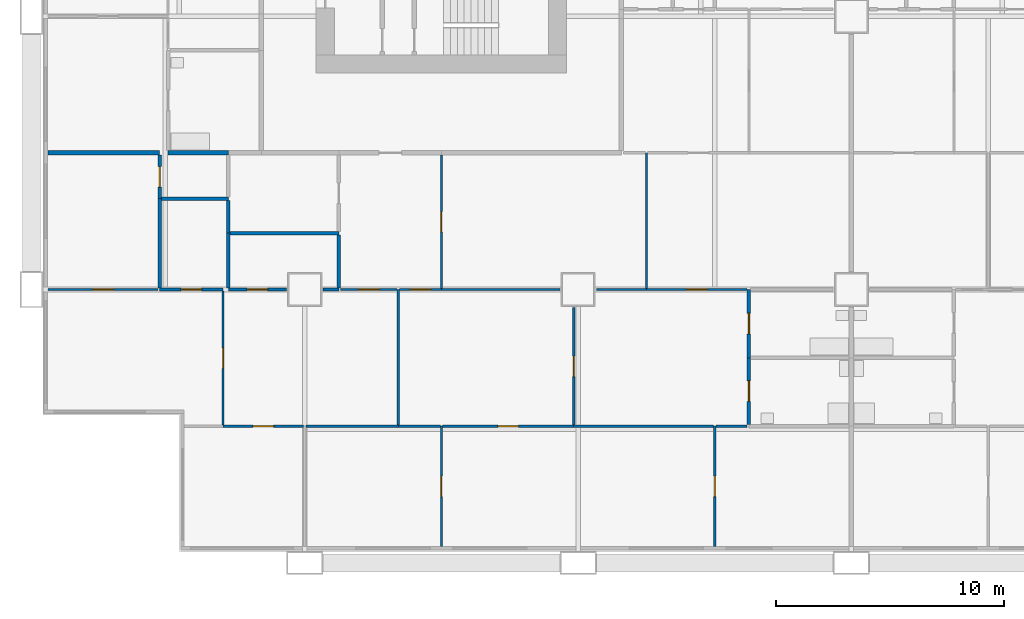
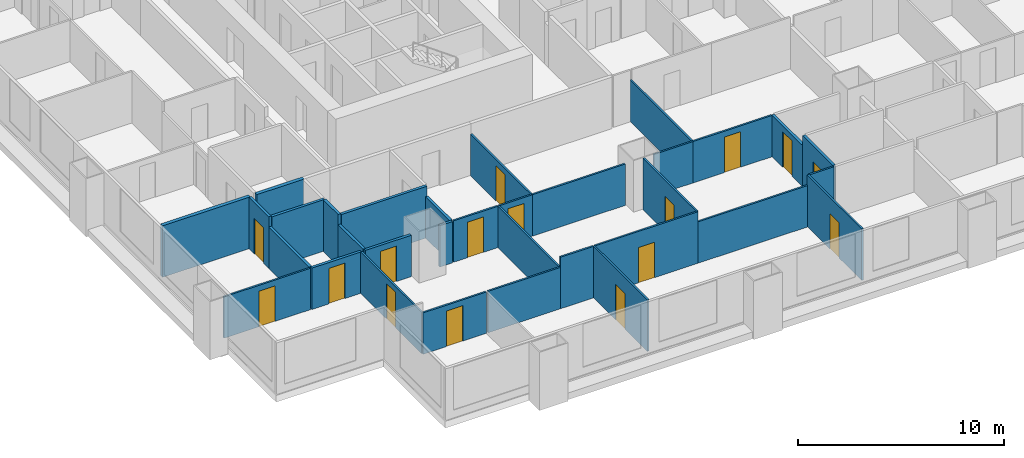
# One storey, part 2 of 14: 33 walls, 16 doors, 16 openings.
"""IFC4 building model written with IfcOpenShell, lengths in metres."""

from ifc_helpers import new_model, si_unit, direction, frame, frame_2d, origin, place, context, subcontext, project, spatial, rectangle, extrude, material, layer, layer_set, type_object, element, fill, save


model = new_model("IFC4")

# Units and contexts
model_context = context("Model", 3, precision=1e-05, world=origin(), true_north=direction((0.0, 1.0)))
body_context = subcontext(model_context, "Body", "Model", "MODEL_VIEW")
ifc_project = project(units=[si_unit("LENGTHUNIT", "METRE"), si_unit("AREAUNIT", "SQUARE_METRE"), si_unit("VOLUMEUNIT", "CUBIC_METRE"), si_unit("PLANEANGLEUNIT", "RADIAN"), si_unit("MASSUNIT", "GRAM", prefix="KILO")], contexts=[model_context])

# Site, building, storey
site_placement = place(None, origin())
site = spatial("IfcSite", under=ifc_project, at=site_placement, CompositionType="ELEMENT")
building_placement = place(site_placement, origin())
building = spatial("IfcBuilding", under=site, at=building_placement, Name="Kitamizu Gate Tower and Museum", CompositionType="ELEMENT")
storey_placement = place(building_placement, frame((0.0, 0.0, 67.949951171875)))
storey = spatial("IfcBuildingStorey", under=building, at=storey_placement, Name="L16", CompositionType="ELEMENT", Elevation=67.949951171875)

# Wall, opening, door
ifc_material_1 = material(Name="Gypsum board on galvanised stud")
ifc_layer_1 = layer(ifc_material_1, 0.10009765625)
ifc_layer_set_1 = layer_set([ifc_layer_1], Name="Gypsum board on galvanised stud")
wall_type_1 = type_object("IfcWallType", Name="Partition 100 NOT RATED", PredefinedType="PARTITIONING", material=ifc_layer_set_1)
wall_1_placement = place(storey_placement, frame((11.949951171875, 6.0, 0.0), z_axis=(0.0, 0.0, 1.0), x_axis=(-1.0, 0.0, 0.0)))
wall_1 = element("IfcWall", 1, at=wall_1_placement, inside=storey, type_object=wall_type_1, Name="Partition L16-003", PredefinedType="PARTITIONING", context=body_context, shape_type="SweptSolid", body=[
    extrude(rectangle(XDim=3.534912109375, YDim=0.10009765625, at=frame_2d((1.767578125, 0.0))), origin(), (0.0, 0.0, 1.0), 2.449951171875),
])
opening_1_placement = place(wall_1_placement, frame((1.3173828125, 0.0, 0.0)))
opening_1 = element("IfcOpeningElement", 2, at=opening_1_placement, cuts=wall_1, Name="Opening L16-008", PredefinedType="OPENING", context=body_context, shape_type="SweptSolid", body=[
    extrude(rectangle(XDim=0.89990234375, YDim=2.10009765625, at=frame_2d((0.449951171875, 1.050048828125))), frame((0.0, 0.06005859375, 0.0), z_axis=(0.0, -1.0, 0.0), x_axis=(1.0, 0.0, 0.0)), (0.0, 0.0, 1.0), 0.1201171875),
])
ifc_material_2 = material(Name="Timber door set", Category="wood")
door_type_1 = type_object("IfcDoorType", Name="Room door 900", OperationType="NOTDEFINED", PredefinedType="DOOR", material=ifc_material_2)
door_1_placement = place(opening_1_placement, origin())
door_1 = element("IfcDoor", 3, at=door_1_placement, inside=storey, type_object=door_type_1, Name="Door L16-008", OperationType="SINGLE_SWING_RIGHT", OverallHeight=2.10009765625, OverallWidth=0.89990234375, PredefinedType="DOOR", context=body_context, shape_type="SweptSolid", body=[
    extrude(rectangle(XDim=0.89990234375, YDim=2.10009765625, at=frame_2d((0.449951171875, 1.050048828125))), frame((0.0, 0.02490234375, 0.0), z_axis=(0.0, -1.0, 0.0), x_axis=(1.0, 0.0, 0.0)), (0.0, 0.0, 1.0), 0.050048828125),
])
fill(opening_1, door_1)

wall_2_placement = place(storey_placement, frame((18.0, 0.719970703125, 0.0), z_axis=(0.0, 0.0, 1.0), x_axis=(0.0, 1.0, 0.0)))
wall_2 = element("IfcWall", 4, at=wall_2_placement, inside=storey, type_object=wall_type_1, Name="Partition L16-004", PredefinedType="PARTITIONING", context=body_context, shape_type="SweptSolid", body=[
    extrude(rectangle(XDim=5.280029296875, YDim=0.10009765625, at=frame_2d((2.64013671875, 0.0))), origin(), (0.0, 0.0, 1.0), 3.050048828125),
])
opening_2_placement = place(wall_2_placement, frame((2.18994140625, 0.0, 0.0)))
opening_2 = element("IfcOpeningElement", 5, at=opening_2_placement, cuts=wall_2, Name="Opening L16-009", PredefinedType="OPENING", context=body_context, shape_type="SweptSolid", body=[
    extrude(rectangle(XDim=0.89990234375, YDim=2.10009765625, at=frame_2d((0.449951171875, 1.050048828125))), frame((0.0, 0.06005859375, 0.0), z_axis=(0.0, -1.0, 0.0), x_axis=(1.0, 0.0, 0.0)), (0.0, 0.0, 1.0), 0.1201171875),
])
door_2_placement = place(opening_2_placement, origin())
door_2 = element("IfcDoor", 6, at=door_2_placement, inside=storey, type_object=door_type_1, Name="Door L16-009", OperationType="SINGLE_SWING_LEFT", OverallHeight=2.10009765625, OverallWidth=0.89990234375, PredefinedType="DOOR", context=body_context, shape_type="SweptSolid", body=[
    extrude(rectangle(XDim=0.89990234375, YDim=2.10009765625, at=frame_2d((0.449951171875, 1.050048828125))), frame((0.0, 0.02490234375, 0.0), z_axis=(0.0, -1.0, 0.0), x_axis=(1.0, 0.0, 0.0)), (0.0, 0.0, 1.0), 0.050048828125),
])
fill(opening_2, door_2)

# Walls
wall_3_placement = place(storey_placement, frame((16.110107421875, 6.0, 0.0), z_axis=(0.0, 0.0, 1.0), x_axis=(-1.0, 0.0, 0.0)))
element("IfcWall", 7, at=wall_3_placement, inside=storey, type_object=wall_type_1, Name="Partition L16-005", PredefinedType="PARTITIONING", context=body_context, shape_type="SweptSolid", body=[
    extrude(rectangle(XDim=4.06005859375, YDim=0.10009765625, at=frame_2d((2.030029296875, 0.0))), origin(), (0.0, 0.0, 1.0), 2.449951171875),
])
wall_4_placement = place(storey_placement, frame((17.949951171875, 6.0, 0.0), z_axis=(0.0, 0.0, 1.0), x_axis=(-1.0, 0.0, 0.0)))
element("IfcWall", 8, at=wall_4_placement, inside=storey, type_object=wall_type_1, Name="Partition L16-006", PredefinedType="PARTITIONING", context=body_context, shape_type="SweptSolid", body=[
    extrude(rectangle(XDim=1.83984375, YDim=0.10009765625, at=frame_2d((0.919921875, 0.0))), origin(), (0.0, 0.0, 1.0), 3.050048828125),
])

# Wall, opening, door
wall_5_placement = place(storey_placement, frame((30.0, 0.719970703125, 0.0), z_axis=(0.0, 0.0, 1.0), x_axis=(0.0, 1.0, 0.0)))
wall_5 = element("IfcWall", 9, at=wall_5_placement, inside=storey, type_object=wall_type_1, Name="Partition L16-007", PredefinedType="PARTITIONING", context=body_context, shape_type="SweptSolid", body=[
    extrude(rectangle(XDim=5.280029296875, YDim=0.10009765625, at=frame_2d((2.64013671875, 0.0))), origin(), (0.0, 0.0, 1.0), 3.050048828125),
])
opening_3_placement = place(wall_5_placement, frame((2.18994140625, 0.0, 0.0)))
opening_3 = element("IfcOpeningElement", 10, at=opening_3_placement, cuts=wall_5, Name="Opening L16-010", PredefinedType="OPENING", context=body_context, shape_type="SweptSolid", body=[
    extrude(rectangle(XDim=0.89990234375, YDim=2.10009765625, at=frame_2d((0.449951171875, 1.050048828125))), frame((0.0, 0.06005859375, 0.0), z_axis=(0.0, -1.0, 0.0), x_axis=(1.0, 0.0, 0.0)), (0.0, 0.0, 1.0), 0.1201171875),
])
door_3_placement = place(opening_3_placement, frame((0.89990234375, 0.0, 0.0), x_axis=(-1.0, 0.0, 0.0)))
door_3 = element("IfcDoor", 11, at=door_3_placement, inside=storey, type_object=door_type_1, Name="Door L16-010", OperationType="SINGLE_SWING_LEFT", OverallHeight=2.10009765625, OverallWidth=0.89990234375, PredefinedType="DOOR", context=body_context, shape_type="SweptSolid", body=[
    extrude(rectangle(XDim=0.89990234375, YDim=2.10009765625, at=frame_2d((0.449951171875, 1.050048828125))), frame((0.0, 0.02490234375, 0.0), z_axis=(0.0, -1.0, 0.0), x_axis=(1.0, 0.0, 0.0)), (0.0, 0.0, 1.0), 0.050048828125),
])
fill(opening_3, door_3)

wall_6_placement = place(storey_placement, frame((23.804931640625, 6.0, 0.0), z_axis=(0.0, 0.0, 1.0), x_axis=(-1.0, 0.0, 0.0)))
wall_6 = element("IfcWall", 12, at=wall_6_placement, inside=storey, type_object=wall_type_1, Name="Partition L16-008", PredefinedType="PARTITIONING", context=body_context, shape_type="SweptSolid", body=[
    extrude(rectangle(XDim=5.7548828125, YDim=0.10009765625, at=frame_2d((2.87744140625, 0.0))), origin(), (0.0, 0.0, 1.0), 3.050048828125),
])
opening_4_placement = place(wall_6_placement, frame((2.427490234375, 0.0, 0.0)))
opening_4 = element("IfcOpeningElement", 13, at=opening_4_placement, cuts=wall_6, Name="Opening L16-005", PredefinedType="OPENING", context=body_context, shape_type="SweptSolid", body=[
    extrude(rectangle(XDim=0.89990234375, YDim=2.10009765625, at=frame_2d((0.449951171875, 1.050048828125))), frame((0.0, 0.06005859375, 0.0), z_axis=(0.0, -1.0, 0.0), x_axis=(1.0, 0.0, 0.0)), (0.0, 0.0, 1.0), 0.1201171875),
])
door_4_placement = place(opening_4_placement, frame((0.89990234375, 0.0, 0.0), x_axis=(-1.0, 0.0, 0.0)))
door_4 = element("IfcDoor", 14, at=door_4_placement, inside=storey, type_object=door_type_1, Name="Door L16-005", OperationType="SINGLE_SWING_LEFT", OverallHeight=2.10009765625, OverallWidth=0.89990234375, PredefinedType="DOOR", context=body_context, shape_type="SweptSolid", body=[
    extrude(rectangle(XDim=0.89990234375, YDim=2.10009765625, at=frame_2d((0.449951171875, 1.050048828125))), frame((0.0, 0.02490234375, 0.0), z_axis=(0.0, -1.0, 0.0), x_axis=(1.0, 0.0, 0.0)), (0.0, 0.0, 1.0), 0.050048828125),
])
fill(opening_4, door_4)

# Walls
wall_7_placement = place(storey_placement, frame((29.949951171875, 6.0, 0.0), z_axis=(0.0, 0.0, 1.0), x_axis=(-1.0, 0.0, 0.0)))
element("IfcWall", 15, at=wall_7_placement, inside=storey, type_object=wall_type_1, Name="Partition L16-009", PredefinedType="PARTITIONING", context=body_context, shape_type="SweptSolid", body=[
    extrude(rectangle(XDim=6.14501953125, YDim=0.10009765625, at=frame_2d((3.072509765625, 0.0))), origin(), (0.0, 0.0, 1.0), 2.449951171875),
])
wall_8_placement = place(storey_placement, frame((31.425048828125, 6.0, 0.0), z_axis=(0.0, 0.0, 1.0), x_axis=(-1.0, 0.0, 0.0)))
element("IfcWall", 16, at=wall_8_placement, inside=storey, type_object=wall_type_1, Name="Partition L16-010", PredefinedType="PARTITIONING", context=body_context, shape_type="SweptSolid", body=[
    extrude(rectangle(XDim=1.375, YDim=0.10009765625, at=frame_2d((0.6875, 0.0))), origin(), (0.0, 0.0, 1.0), 3.050048828125),
])

# Wall, opening, door
wall_9_placement = place(storey_placement, frame((8.4150390625, 6.050048828125, 0.0), z_axis=(0.0, 0.0, 1.0), x_axis=(0.0, 1.0, 0.0)))
wall_9 = element("IfcWall", 17, at=wall_9_placement, inside=storey, type_object=wall_type_1, Name="Partition L16-013", PredefinedType="PARTITIONING", context=body_context, shape_type="SweptSolid", body=[
    extrude(rectangle(XDim=5.875, YDim=0.10009765625, at=frame_2d((2.9375, 0.0))), origin(), (0.0, 0.0, 1.0), 2.449951171875),
])
opening_5_placement = place(wall_9_placement, frame((2.487548828125, 0.0, 0.0)))
opening_5 = element("IfcOpeningElement", 18, at=opening_5_placement, cuts=wall_9, Name="Opening L16-004", PredefinedType="OPENING", context=body_context, shape_type="SweptSolid", body=[
    extrude(rectangle(XDim=0.89990234375, YDim=2.10009765625, at=frame_2d((0.449951171875, 1.050048828125))), frame((0.0, 0.06005859375, 0.0), z_axis=(0.0, -1.0, 0.0), x_axis=(1.0, 0.0, 0.0)), (0.0, 0.0, 1.0), 0.1201171875),
])
door_5_placement = place(opening_5_placement, frame((0.89990234375, 0.0, 0.0), x_axis=(-1.0, 0.0, 0.0)))
door_5 = element("IfcDoor", 19, at=door_5_placement, inside=storey, type_object=door_type_1, Name="Door L16-004", OperationType="SINGLE_SWING_RIGHT", OverallHeight=2.10009765625, OverallWidth=0.89990234375, PredefinedType="DOOR", context=body_context, shape_type="SweptSolid", body=[
    extrude(rectangle(XDim=0.89990234375, YDim=2.10009765625, at=frame_2d((0.449951171875, 1.050048828125))), frame((0.0, 0.02490234375, 0.0), z_axis=(0.0, -1.0, 0.0), x_axis=(1.0, 0.0, 0.0)), (0.0, 0.0, 1.0), 0.050048828125),
])
fill(opening_5, door_5)

wall_10_placement = place(storey_placement, frame((5.55810546875, 12.0, 0.0), z_axis=(0.0, 0.0, 1.0), x_axis=(-1.0, 0.0, 0.0)))
wall_10 = element("IfcWall", 20, at=wall_10_placement, inside=storey, type_object=wall_type_1, Name="Partition L16-014", PredefinedType="PARTITIONING", context=body_context, shape_type="SweptSolid", body=[
    extrude(rectangle(XDim=4.838134765625, YDim=0.10009765625, at=frame_2d((2.4189453125, 0.0))), origin(), (0.0, 0.0, 1.0), 2.449951171875),
])
opening_6_placement = place(wall_10_placement, frame((1.968994140625, 0.0, 0.0)))
opening_6 = element("IfcOpeningElement", 21, at=opening_6_placement, cuts=wall_10, Name="Opening L16-012", PredefinedType="OPENING", context=body_context, shape_type="SweptSolid", body=[
    extrude(rectangle(XDim=0.89990234375, YDim=2.10009765625, at=frame_2d((0.449951171875, 1.050048828125))), frame((0.0, 0.06005859375, 0.0), z_axis=(0.0, -1.0, 0.0), x_axis=(1.0, 0.0, 0.0)), (0.0, 0.0, 1.0), 0.1201171875),
])
door_6_placement = place(opening_6_placement, frame((0.89990234375, 0.0, 0.0), x_axis=(-1.0, 0.0, 0.0)))
door_6 = element("IfcDoor", 22, at=door_6_placement, inside=storey, type_object=door_type_1, Name="Door L16-012", OperationType="SINGLE_SWING_LEFT", OverallHeight=2.10009765625, OverallWidth=0.89990234375, PredefinedType="DOOR", context=body_context, shape_type="SweptSolid", body=[
    extrude(rectangle(XDim=0.89990234375, YDim=2.10009765625, at=frame_2d((0.449951171875, 1.050048828125))), frame((0.0, 0.02490234375, 0.0), z_axis=(0.0, -1.0, 0.0), x_axis=(1.0, 0.0, 0.0)), (0.0, 0.0, 1.0), 0.050048828125),
])
fill(opening_6, door_6)

# Wall
wall_11_placement = place(storey_placement, frame((16.110107421875, 6.050048828125, 0.0), z_axis=(0.0, 0.0, 1.0), x_axis=(0.0, 1.0, 0.0)))
element("IfcWall", 23, at=wall_11_placement, inside=storey, type_object=wall_type_1, Name="Partition L16-016", PredefinedType="PARTITIONING", context=body_context, shape_type="SweptSolid", body=[
    extrude(rectangle(XDim=5.949951171875, YDim=0.10009765625, at=frame_2d((2.97509765625, 0.0))), origin(), (0.0, 0.0, 1.0), 2.449951171875),
])

# Wall, opening, door
wall_12_placement = place(storey_placement, frame((16.06005859375, 12.0, 0.0), z_axis=(0.0, 0.0, 1.0), x_axis=(-1.0, 0.0, 0.0)))
wall_12 = element("IfcWall", 24, at=wall_12_placement, inside=storey, type_object=wall_type_1, Name="Partition L16-019", PredefinedType="PARTITIONING", context=body_context, shape_type="SweptSolid", body=[
    extrude(rectangle(XDim=2.485107421875, YDim=0.10009765625, at=frame_2d((1.24267578125, 0.0))), origin(), (0.0, 0.0, 1.0), 2.449951171875),
])
opening_7_placement = place(wall_12_placement, frame((0.79248046875, 0.0, 0.0)))
opening_7 = element("IfcOpeningElement", 25, at=opening_7_placement, cuts=wall_12, Name="Opening L16-002", PredefinedType="OPENING", context=body_context, shape_type="SweptSolid", body=[
    extrude(rectangle(XDim=0.89990234375, YDim=2.10009765625, at=frame_2d((0.449951171875, 1.050048828125))), frame((0.0, 0.06005859375, 0.0), z_axis=(0.0, -1.0, 0.0), x_axis=(1.0, 0.0, 0.0)), (0.0, 0.0, 1.0), 0.1201171875),
])
door_7_placement = place(opening_7_placement, origin())
door_7 = element("IfcDoor", 26, at=door_7_placement, inside=storey, type_object=door_type_1, Name="Door L16-002", OperationType="SINGLE_SWING_RIGHT", OverallHeight=2.10009765625, OverallWidth=0.89990234375, PredefinedType="DOOR", context=body_context, shape_type="SweptSolid", body=[
    extrude(rectangle(XDim=0.89990234375, YDim=2.10009765625, at=frame_2d((0.449951171875, 1.050048828125))), frame((0.0, 0.02490234375, 0.0), z_axis=(0.0, -1.0, 0.0), x_axis=(1.0, 0.0, 0.0)), (0.0, 0.0, 1.0), 0.050048828125),
])
fill(opening_7, door_7)

wall_13_placement = place(storey_placement, frame((23.804931640625, 6.050048828125, 0.0), z_axis=(0.0, 0.0, 1.0), x_axis=(0.0, 1.0, 0.0)))
wall_13 = element("IfcWall", 27, at=wall_13_placement, inside=storey, type_object=wall_type_1, Name="Partition L16-020", PredefinedType="PARTITIONING", context=body_context, shape_type="SweptSolid", body=[
    extrude(rectangle(XDim=5.14990234375, YDim=0.10009765625, at=frame_2d((2.574951171875, 0.0))), origin(), (0.0, 0.0, 1.0), 3.050048828125),
])
opening_8_placement = place(wall_13_placement, frame((2.125, 0.0, 0.0)))
opening_8 = element("IfcOpeningElement", 28, at=opening_8_placement, cuts=wall_13, Name="Opening L16-006", PredefinedType="OPENING", context=body_context, shape_type="SweptSolid", body=[
    extrude(rectangle(XDim=0.89990234375, YDim=2.10009765625, at=frame_2d((0.449951171875, 1.050048828125))), frame((0.0, 0.06005859375, 0.0), z_axis=(0.0, -1.0, 0.0), x_axis=(1.0, 0.0, 0.0)), (0.0, 0.0, 1.0), 0.1201171875),
])
door_8_placement = place(opening_8_placement, frame((0.89990234375, 0.0, 0.0), x_axis=(-1.0, 0.0, 0.0)))
door_8 = element("IfcDoor", 29, at=door_8_placement, inside=storey, type_object=door_type_1, Name="Door L16-006", OperationType="SINGLE_SWING_RIGHT", OverallHeight=2.10009765625, OverallWidth=0.89990234375, PredefinedType="DOOR", context=body_context, shape_type="SweptSolid", body=[
    extrude(rectangle(XDim=0.89990234375, YDim=2.10009765625, at=frame_2d((0.449951171875, 1.050048828125))), frame((0.0, 0.02490234375, 0.0), z_axis=(0.0, -1.0, 0.0), x_axis=(1.0, 0.0, 0.0)), (0.0, 0.0, 1.0), 0.050048828125),
])
fill(opening_8, door_8)

wall_14_placement = place(storey_placement, frame((18.0, 12.0, 0.0), z_axis=(0.0, 0.0, 1.0), x_axis=(-1.0, 0.0, 0.0)))
wall_14 = element("IfcWall", 30, at=wall_14_placement, inside=storey, type_object=wall_type_1, Name="Partition L16-021", PredefinedType="PARTITIONING", context=body_context, shape_type="SweptSolid", body=[
    extrude(rectangle(XDim=1.840087890625, YDim=0.10009765625, at=frame_2d((0.919921875, 0.0))), origin(), (0.0, 0.0, 1.0), 2.449951171875),
])
opening_9_placement = place(wall_14_placement, frame((0.469970703125, 0.0, 0.0)))
opening_9 = element("IfcOpeningElement", 31, at=opening_9_placement, cuts=wall_14, Name="Opening L16-003", PredefinedType="OPENING", context=body_context, shape_type="SweptSolid", body=[
    extrude(rectangle(XDim=0.89990234375, YDim=2.10009765625, at=frame_2d((0.449951171875, 1.050048828125))), frame((0.0, 0.06005859375, 0.0), z_axis=(0.0, -1.0, 0.0), x_axis=(1.0, 0.0, 0.0)), (0.0, 0.0, 1.0), 0.1201171875),
])
door_9_placement = place(opening_9_placement, origin())
door_9 = element("IfcDoor", 32, at=door_9_placement, inside=storey, type_object=door_type_1, Name="Door L16-003", OperationType="SINGLE_SWING_LEFT", OverallHeight=2.10009765625, OverallWidth=0.89990234375, PredefinedType="DOOR", context=body_context, shape_type="SweptSolid", body=[
    extrude(rectangle(XDim=0.89990234375, YDim=2.10009765625, at=frame_2d((0.449951171875, 1.050048828125))), frame((0.0, 0.02490234375, 0.0), z_axis=(0.0, -1.0, 0.0), x_axis=(1.0, 0.0, 0.0)), (0.0, 0.0, 1.0), 0.050048828125),
])
fill(opening_9, door_9)

# Walls
wall_15_placement = place(storey_placement, frame((23.199951171875, 12.0, 0.0), z_axis=(0.0, 0.0, 1.0), x_axis=(-1.0, 0.0, 0.0)))
element("IfcWall", 33, at=wall_15_placement, inside=storey, type_object=wall_type_1, Name="Partition L16-022", PredefinedType="PARTITIONING", context=body_context, shape_type="SweptSolid", body=[
    extrude(rectangle(XDim=5.199951171875, YDim=0.10009765625, at=frame_2d((2.60009765625, 0.0))), origin(), (0.0, 0.0, 1.0), 2.449951171875),
])
wall_16_placement = place(storey_placement, frame((27.0, 12.0, 0.0), z_axis=(0.0, 0.0, 1.0), x_axis=(-1.0, 0.0, 0.0)))
element("IfcWall", 34, at=wall_16_placement, inside=storey, type_object=wall_type_1, Name="Partition L16-025", PredefinedType="PARTITIONING", context=body_context, shape_type="SweptSolid", body=[
    extrude(rectangle(XDim=2.199951171875, YDim=0.10009765625, at=frame_2d((1.10009765625, 0.0))), origin(), (0.0, 0.0, 1.0), 2.449951171875),
])

# Wall, opening, door
wall_17_placement = place(storey_placement, frame((31.425048828125, 12.0, 0.0), z_axis=(0.0, 0.0, 1.0), x_axis=(-1.0, 0.0, 0.0)))
wall_17 = element("IfcWall", 35, at=wall_17_placement, inside=storey, type_object=wall_type_1, Name="Partition L16-026", PredefinedType="PARTITIONING", context=body_context, shape_type="SweptSolid", body=[
    extrude(rectangle(XDim=4.425048828125, YDim=0.10009765625, at=frame_2d((2.21240234375, 0.0))), origin(), (0.0, 0.0, 1.0), 2.449951171875),
])
opening_10_placement = place(wall_17_placement, frame((1.762451171875, 0.0, 0.0)))
opening_10 = element("IfcOpeningElement", 36, at=opening_10_placement, cuts=wall_17, Name="Opening L16-017", PredefinedType="OPENING", context=body_context, shape_type="SweptSolid", body=[
    extrude(rectangle(XDim=0.89990234375, YDim=2.10009765625, at=frame_2d((0.449951171875, 1.050048828125))), frame((0.0, 0.06005859375, 0.0), z_axis=(0.0, -1.0, 0.0), x_axis=(1.0, 0.0, 0.0)), (0.0, 0.0, 1.0), 0.1201171875),
])
door_10_placement = place(opening_10_placement, origin())
door_10 = element("IfcDoor", 37, at=door_10_placement, inside=storey, type_object=door_type_1, Name="Door L16-017", OperationType="SINGLE_SWING_LEFT", OverallHeight=2.10009765625, OverallWidth=0.89990234375, PredefinedType="DOOR", context=body_context, shape_type="SweptSolid", body=[
    extrude(rectangle(XDim=0.89990234375, YDim=2.10009765625, at=frame_2d((0.449951171875, 1.050048828125))), frame((0.0, 0.02490234375, 0.0), z_axis=(0.0, -1.0, 0.0), x_axis=(1.0, 0.0, 0.0)), (0.0, 0.0, 1.0), 0.050048828125),
])
fill(opening_10, door_10)

wall_18_placement = place(storey_placement, frame((18.0, 12.050048828125, 0.0), z_axis=(0.0, 0.0, 1.0), x_axis=(0.0, 1.0, 0.0)))
wall_18 = element("IfcWall", 38, at=wall_18_placement, inside=storey, type_object=wall_type_1, Name="Partition L16-044", PredefinedType="PARTITIONING", context=body_context, shape_type="SweptSolid", body=[
    extrude(rectangle(XDim=5.849853515625, YDim=0.10009765625, at=frame_2d((2.9248046875, 0.0))), origin(), (0.0, 0.0, 1.0), 2.449951171875),
])
opening_11_placement = place(wall_18_placement, frame((2.47509765625, 0.0, 0.0)))
opening_11 = element("IfcOpeningElement", 39, at=opening_11_placement, cuts=wall_18, Name="Opening L16-016", PredefinedType="OPENING", context=body_context, shape_type="SweptSolid", body=[
    extrude(rectangle(XDim=0.89990234375, YDim=2.10009765625, at=frame_2d((0.449951171875, 1.050048828125))), frame((0.0, 0.06005859375, 0.0), z_axis=(0.0, -1.0, 0.0), x_axis=(1.0, 0.0, 0.0)), (0.0, 0.0, 1.0), 0.1201171875),
])
door_11_placement = place(opening_11_placement, frame((0.89990234375, 0.0, 0.0), x_axis=(-1.0, 0.0, 0.0)))
door_11 = element("IfcDoor", 40, at=door_11_placement, inside=storey, type_object=door_type_1, Name="Door L16-016", OperationType="SINGLE_SWING_LEFT", OverallHeight=2.10009765625, OverallWidth=0.89990234375, PredefinedType="DOOR", context=body_context, shape_type="SweptSolid", body=[
    extrude(rectangle(XDim=0.89990234375, YDim=2.10009765625, at=frame_2d((0.449951171875, 1.050048828125))), frame((0.0, 0.02490234375, 0.0), z_axis=(0.0, -1.0, 0.0), x_axis=(1.0, 0.0, 0.0)), (0.0, 0.0, 1.0), 0.050048828125),
])
fill(opening_11, door_11)

# Wall
wall_19_placement = place(storey_placement, frame((27.0, 12.050048828125, 0.0), z_axis=(0.0, 0.0, 1.0), x_axis=(0.0, 1.0, 0.0)))
element("IfcWall", 41, at=wall_19_placement, inside=storey, type_object=wall_type_1, Name="Partition L16-046", PredefinedType="PARTITIONING", context=body_context, shape_type="SweptSolid", body=[
    extrude(rectangle(XDim=5.949951171875, YDim=0.10009765625, at=frame_2d((2.97509765625, 0.0))), origin(), (0.0, 0.0, 1.0), 2.449951171875),
])

# Wall, opening, door
ifc_material_3 = material(Name="Gypsum board on galvanised stud")
ifc_layer_2 = layer(ifc_material_3, 0.14990234375)
ifc_layer_set_2 = layer_set([ifc_layer_2], Name="Gypsum board on galvanised stud")
wall_type_2 = type_object("IfcWallType", Name="Partition 150", PredefinedType="PARTITIONING", material=ifc_layer_set_2)
wall_20_placement = place(storey_placement, frame((8.4150390625, 12.0, 0.0), z_axis=(0.0, 0.0, 1.0), x_axis=(-1.0, 0.0, 0.0)))
wall_20 = element("IfcWall", 42, at=wall_20_placement, inside=storey, type_object=wall_type_2, Name="Partition L16-015", PredefinedType="PARTITIONING", context=body_context, shape_type="SweptSolid", body=[
    extrude(rectangle(XDim=2.781982421875, YDim=0.14990234375, at=frame_2d((1.39111328125, 0.0))), origin(), (0.0, 0.0, 1.0), 2.449951171875),
])
opening_12_placement = place(wall_20_placement, frame((0.94091796875, 0.0, 0.0)))
opening_12 = element("IfcOpeningElement", 43, at=opening_12_placement, cuts=wall_20, Name="Opening L16-013", PredefinedType="OPENING", context=body_context, shape_type="SweptSolid", body=[
    extrude(rectangle(XDim=0.89990234375, YDim=2.10009765625, at=frame_2d((0.449951171875, 1.050048828125))), frame((0.0, 0.0849609375, 0.0), z_axis=(0.0, -1.0, 0.0), x_axis=(1.0, 0.0, 0.0)), (0.0, 0.0, 1.0), 0.169921875),
])
ifc_material_4 = material(Name="Timber door set", Category="wood")
door_type_2 = type_object("IfcDoorType", Name="Bathroom door 900", OperationType="NOTDEFINED", PredefinedType="DOOR", material=ifc_material_4)
door_12_placement = place(opening_12_placement, frame((0.89990234375, 0.0, 0.0), x_axis=(-1.0, 0.0, 0.0)))
door_12 = element("IfcDoor", 44, at=door_12_placement, inside=storey, type_object=door_type_2, Name="Bathroom door L16-013", OperationType="SINGLE_SWING_RIGHT", OverallHeight=2.10009765625, OverallWidth=0.89990234375, PredefinedType="DOOR", context=body_context, shape_type="SweptSolid", body=[
    extrude(rectangle(XDim=0.89990234375, YDim=2.10009765625, at=frame_2d((0.449951171875, 1.050048828125))), frame((0.0, 0.02490234375, 0.0), z_axis=(0.0, -1.0, 0.0), x_axis=(1.0, 0.0, 0.0)), (0.0, 0.0, 1.0), 0.050048828125),
])
fill(opening_12, door_12)

wall_21_placement = place(storey_placement, frame((11.199951171875, 12.0, 0.0), z_axis=(0.0, 0.0, 1.0), x_axis=(-1.0, 0.0, 0.0)))
wall_21 = element("IfcWall", 45, at=wall_21_placement, inside=storey, type_object=wall_type_2, Name="Partition L16-017", PredefinedType="PARTITIONING", context=body_context, shape_type="SweptSolid", body=[
    extrude(rectangle(XDim=2.555908203125, YDim=0.14990234375, at=frame_2d((1.27783203125, 0.0))), origin(), (0.0, 0.0, 1.0), 2.449951171875),
])
opening_13_placement = place(wall_21_placement, frame((0.827880859375, 0.0, 0.0)))
opening_13 = element("IfcOpeningElement", 46, at=opening_13_placement, cuts=wall_21, Name="Opening L16-014", PredefinedType="OPENING", context=body_context, shape_type="SweptSolid", body=[
    extrude(rectangle(XDim=0.89990234375, YDim=2.10009765625, at=frame_2d((0.449951171875, 1.050048828125))), frame((0.0, 0.0849609375, 0.0), z_axis=(0.0, -1.0, 0.0), x_axis=(1.0, 0.0, 0.0)), (0.0, 0.0, 1.0), 0.169921875),
])
door_13_placement = place(opening_13_placement, frame((0.89990234375, 0.0, 0.0), x_axis=(-1.0, 0.0, 0.0)))
door_13 = element("IfcDoor", 47, at=door_13_placement, inside=storey, type_object=door_type_2, Name="Bathroom door L16-014", OperationType="SINGLE_SWING_LEFT", OverallHeight=2.10009765625, OverallWidth=0.89990234375, PredefinedType="DOOR", context=body_context, shape_type="SweptSolid", body=[
    extrude(rectangle(XDim=0.89990234375, YDim=2.10009765625, at=frame_2d((0.449951171875, 1.050048828125))), frame((0.0, 0.02490234375, 0.0), z_axis=(0.0, -1.0, 0.0), x_axis=(1.0, 0.0, 0.0)), (0.0, 0.0, 1.0), 0.050048828125),
])
fill(opening_13, door_13)

# Wall
wall_22_placement = place(storey_placement, frame((13.5, 12.0, 0.0), z_axis=(0.0, 0.0, 1.0), x_axis=(-1.0, 0.0, 0.0)))
element("IfcWall", 48, at=wall_22_placement, inside=storey, type_object=wall_type_2, Name="Partition L16-018", PredefinedType="PARTITIONING", context=body_context, shape_type="SweptSolid", body=[
    extrude(rectangle(XDim=0.699951171875, YDim=0.14990234375, at=frame_2d((0.35009765625, 0.0))), origin(), (0.0, 0.0, 1.0), 2.449951171875),
])

# Wall, opening, door
wall_23_placement = place(storey_placement, frame((31.5, 6.074951171875, 0.0), z_axis=(0.0, 0.0, 1.0), x_axis=(0.0, 1.0, 0.0)))
wall_23 = element("IfcWall", 49, at=wall_23_placement, inside=storey, type_object=wall_type_2, Name="Partition L16-023", PredefinedType="PARTITIONING", context=body_context, shape_type="SweptSolid", body=[
    extrude(rectangle(XDim=2.925048828125, YDim=0.14990234375, at=frame_2d((1.46240234375, 0.0))), origin(), (0.0, 0.0, 1.0), 3.050048828125),
])
opening_14_placement = place(wall_23_placement, frame((1.012451171875, 0.0, 0.0)))
opening_14 = element("IfcOpeningElement", 50, at=opening_14_placement, cuts=wall_23, Name="Opening L16-007", PredefinedType="OPENING", context=body_context, shape_type="SweptSolid", body=[
    extrude(rectangle(XDim=0.89990234375, YDim=2.10009765625, at=frame_2d((0.449951171875, 1.050048828125))), frame((0.0, 0.0849609375, 0.0), z_axis=(0.0, -1.0, 0.0), x_axis=(1.0, 0.0, 0.0)), (0.0, 0.0, 1.0), 0.169921875),
])
door_14_placement = place(opening_14_placement, frame((0.89990234375, 0.0, 0.0), x_axis=(-1.0, 0.0, 0.0)))
door_14 = element("IfcDoor", 51, at=door_14_placement, inside=storey, type_object=door_type_2, Name="Bathroom door L16-007", OperationType="SINGLE_SWING_LEFT", OverallHeight=2.10009765625, OverallWidth=0.89990234375, PredefinedType="DOOR", context=body_context, shape_type="SweptSolid", body=[
    extrude(rectangle(XDim=0.89990234375, YDim=2.10009765625, at=frame_2d((0.449951171875, 1.050048828125))), frame((0.0, 0.02490234375, 0.0), z_axis=(0.0, -1.0, 0.0), x_axis=(1.0, 0.0, 0.0)), (0.0, 0.0, 1.0), 0.050048828125),
])
fill(opening_14, door_14)

wall_24_placement = place(storey_placement, frame((31.5, 9.0, 0.0), z_axis=(0.0, 0.0, 1.0), x_axis=(0.0, 1.0, 0.0)))
wall_24 = element("IfcWall", 52, at=wall_24_placement, inside=storey, type_object=wall_type_2, Name="Partition L16-024", PredefinedType="PARTITIONING", context=body_context, shape_type="SweptSolid", body=[
    extrude(rectangle(XDim=3.0, YDim=0.14990234375, at=frame_2d((1.5, 0.0))), origin(), (0.0, 0.0, 1.0), 2.449951171875),
])
opening_15_placement = place(wall_24_placement, frame((1.050048828125, 0.0, 0.0)))
opening_15 = element("IfcOpeningElement", 53, at=opening_15_placement, cuts=wall_24, Name="Opening L16-011", PredefinedType="OPENING", context=body_context, shape_type="SweptSolid", body=[
    extrude(rectangle(XDim=0.89990234375, YDim=2.10009765625, at=frame_2d((0.449951171875, 1.050048828125))), frame((0.0, 0.0849609375, 0.0), z_axis=(0.0, -1.0, 0.0), x_axis=(1.0, 0.0, 0.0)), (0.0, 0.0, 1.0), 0.169921875),
])
door_15_placement = place(opening_15_placement, frame((0.89990234375, 0.0, 0.0), x_axis=(-1.0, 0.0, 0.0)))
door_15 = element("IfcDoor", 54, at=door_15_placement, inside=storey, type_object=door_type_2, Name="Bathroom door L16-011", OperationType="SINGLE_SWING_RIGHT", OverallHeight=2.10009765625, OverallWidth=0.89990234375, PredefinedType="DOOR", context=body_context, shape_type="SweptSolid", body=[
    extrude(rectangle(XDim=0.89990234375, YDim=2.10009765625, at=frame_2d((0.449951171875, 1.050048828125))), frame((0.0, 0.02490234375, 0.0), z_axis=(0.0, -1.0, 0.0), x_axis=(1.0, 0.0, 0.0)), (0.0, 0.0, 1.0), 0.050048828125),
])
fill(opening_15, door_15)

# Wall
wall_25_placement = place(storey_placement, frame((5.633056640625, 12.074951171875, 0.0), z_axis=(0.0, 0.0, 1.0), x_axis=(0.0, 1.0, 0.0)))
element("IfcWall", 55, at=wall_25_placement, inside=storey, type_object=wall_type_2, Name="Partition L16-031", PredefinedType="PARTITIONING", context=body_context, shape_type="SweptSolid", body=[
    extrude(rectangle(XDim=3.91015625, YDim=0.14990234375, at=frame_2d((1.955078125, 0.0))), origin(), (0.0, 0.0, 1.0), 2.449951171875),
])

# Wall, opening, door
wall_26_placement = place(storey_placement, frame((5.633056640625, 15.985107421875, 0.0), z_axis=(0.0, 0.0, 1.0), x_axis=(0.0, 1.0, 0.0)))
wall_26 = element("IfcWall", 56, at=wall_26_placement, inside=storey, type_object=wall_type_2, Name="Partition L16-032", PredefinedType="PARTITIONING", context=body_context, shape_type="SweptSolid", body=[
    extrude(rectangle(XDim=1.914794921875, YDim=0.14990234375, at=frame_2d((0.95751953125, 0.0))), origin(), (0.0, 0.0, 1.0), 3.050048828125),
])
opening_16_placement = place(wall_26_placement, frame((0.507568359375, 0.0, 0.0)))
opening_16 = element("IfcOpeningElement", 57, at=opening_16_placement, cuts=wall_26, Name="Opening L16-018", PredefinedType="OPENING", context=body_context, shape_type="SweptSolid", body=[
    extrude(rectangle(XDim=0.89990234375, YDim=2.10009765625, at=frame_2d((0.449951171875, 1.050048828125))), frame((0.0, 0.0849609375, 0.0), z_axis=(0.0, -1.0, 0.0), x_axis=(1.0, 0.0, 0.0)), (0.0, 0.0, 1.0), 0.169921875),
])
door_16_placement = place(opening_16_placement, frame((0.89990234375, 0.0, 0.0), x_axis=(-1.0, 0.0, 0.0)))
door_16 = element("IfcDoor", 58, at=door_16_placement, inside=storey, type_object=door_type_2, Name="Bathroom door L16-018", OperationType="SINGLE_SWING_LEFT", OverallHeight=2.10009765625, OverallWidth=0.89990234375, PredefinedType="DOOR", context=body_context, shape_type="SweptSolid", body=[
    extrude(rectangle(XDim=0.89990234375, YDim=2.10009765625, at=frame_2d((0.449951171875, 1.050048828125))), frame((0.0, 0.02490234375, 0.0), z_axis=(0.0, -1.0, 0.0), x_axis=(1.0, 0.0, 0.0)), (0.0, 0.0, 1.0), 0.050048828125),
])
fill(opening_16, door_16)

# Walls
wall_27_placement = place(storey_placement, frame((8.64404296875, 15.985107421875, 0.0), z_axis=(0.0, 0.0, 1.0), x_axis=(-1.0, 0.0, 0.0)))
element("IfcWall", 59, at=wall_27_placement, inside=storey, type_object=wall_type_2, Name="Partition L16-034", PredefinedType="PARTITIONING", context=body_context, shape_type="SweptSolid", body=[
    extrude(rectangle(XDim=2.93603515625, YDim=0.14990234375, at=frame_2d((1.468017578125, 0.0))), origin(), (0.0, 0.0, 1.0), 3.050048828125),
])
wall_28_placement = place(storey_placement, frame((8.64404296875, 12.074951171875, 0.0), z_axis=(0.0, 0.0, 1.0), x_axis=(0.0, 1.0, 0.0)))
element("IfcWall", 60, at=wall_28_placement, inside=storey, type_object=wall_type_2, Name="Partition L16-035", PredefinedType="PARTITIONING", context=body_context, shape_type="SweptSolid", body=[
    extrude(rectangle(XDim=2.39599609375, YDim=0.14990234375, at=frame_2d((1.197998046875, 0.0))), origin(), (0.0, 0.0, 1.0), 2.449951171875),
])
wall_29_placement = place(storey_placement, frame((8.64404296875, 14.470947265625, 0.0), z_axis=(0.0, 0.0, 1.0), x_axis=(0.0, 1.0, 0.0)))
element("IfcWall", 61, at=wall_29_placement, inside=storey, type_object=wall_type_2, Name="Partition L16-036", PredefinedType="PARTITIONING", context=body_context, shape_type="SweptSolid", body=[
    extrude(rectangle(XDim=1.43896484375, YDim=0.14990234375, at=frame_2d((0.719482421875, 0.0))), origin(), (0.0, 0.0, 1.0), 3.050048828125),
])
wall_30_placement = place(storey_placement, frame((13.5, 14.470947265625, 0.0), z_axis=(0.0, 0.0, 1.0), x_axis=(-1.0, 0.0, 0.0)))
element("IfcWall", 62, at=wall_30_placement, inside=storey, type_object=wall_type_2, Name="Partition L16-039", PredefinedType="PARTITIONING", context=body_context, shape_type="SweptSolid", body=[
    extrude(rectangle(XDim=4.781005859375, YDim=0.14990234375, at=frame_2d((2.390625, 0.0))), origin(), (0.0, 0.0, 1.0), 3.050048828125),
])
wall_31_placement = place(storey_placement, frame((13.5, 12.074951171875, 0.0), z_axis=(0.0, 0.0, 1.0), x_axis=(0.0, 1.0, 0.0)))
element("IfcWall", 63, at=wall_31_placement, inside=storey, type_object=wall_type_2, Name="Partition L16-040", PredefinedType="PARTITIONING", context=body_context, shape_type="SweptSolid", body=[
    extrude(rectangle(XDim=2.321044921875, YDim=0.14990234375, at=frame_2d((1.16064453125, 0.0))), origin(), (0.0, 0.0, 1.0), 2.449951171875),
])
ifc_material_5 = material(Name="Gypsum board on galvanised stud")
ifc_layer_3 = layer(ifc_material_5, 0.199951171875)
ifc_layer_set_3 = layer_set([ifc_layer_3], Name="Gypsum board on galvanised stud")
wall_type_3 = type_object("IfcWallType", Name="Partition 200", PredefinedType="PARTITIONING", material=ifc_layer_set_3)
wall_32_placement = place(storey_placement, frame((5.633056640625, 18.0, 0.0), z_axis=(0.0, 0.0, 1.0), x_axis=(-1.0, 0.0, 0.0)))
element("IfcWall", 64, at=wall_32_placement, inside=storey, type_object=wall_type_3, Name="Partition L16-033", PredefinedType="PARTITIONING", context=body_context, shape_type="SweptSolid", body=[
    extrude(rectangle(XDim=4.9130859375, YDim=0.199951171875, at=frame_2d((2.45654296875, 0.0))), origin(), (0.0, 0.0, 1.0), 3.050048828125),
])
wall_33_placement = place(storey_placement, frame((8.64404296875, 18.0, 0.0), z_axis=(0.0, 0.0, 1.0), x_axis=(-1.0, 0.0, 0.0)))
element("IfcWall", 65, at=wall_33_placement, inside=storey, type_object=wall_type_3, Name="Partition L16-038", PredefinedType="PARTITIONING", context=body_context, shape_type="SweptSolid", body=[
    extrude(rectangle(XDim=2.64404296875, YDim=0.199951171875, at=frame_2d((1.322021484375, 0.0))), origin(), (0.0, 0.0, 1.0), 3.050048828125),
])

save(model, "model.ifc")
